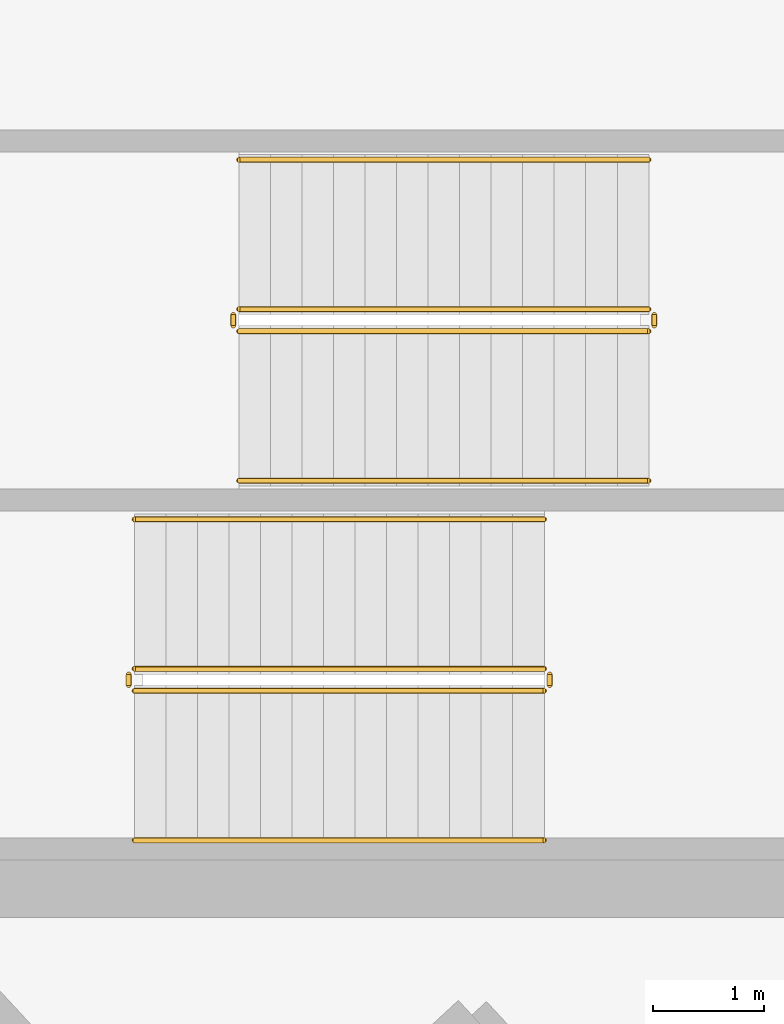
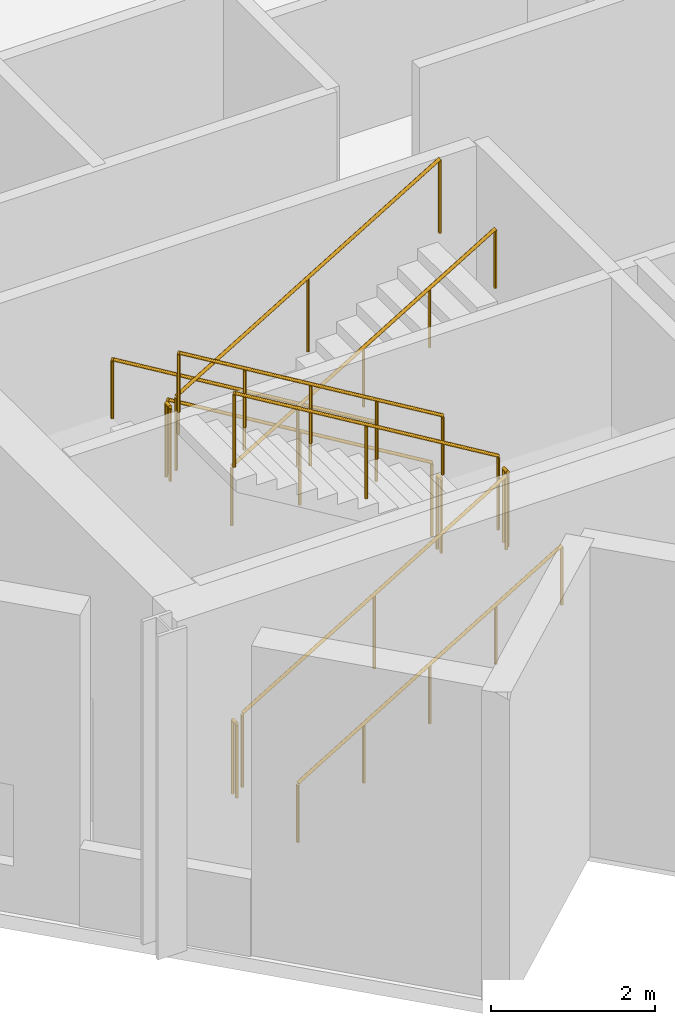
# One storey, part 7 of 7: 12 railings.
"""IFC4 building model written with IfcOpenShell, lengths in metres."""

from ifc_helpers import new_model, si_unit, direction, frame, origin, origin_2d, place, context, subcontext, project, spatial, circle, extrude, material, type_object, element, save


model = new_model("IFC4")

# Units and contexts
model_context = context("Model", 3, precision=1e-05, world=origin(), true_north=direction((0.0, 1.0)))
body_context = subcontext(model_context, "Body", "Model", "MODEL_VIEW")
ifc_project = project(units=[si_unit("LENGTHUNIT", "METRE"), si_unit("AREAUNIT", "SQUARE_METRE"), si_unit("VOLUMEUNIT", "CUBIC_METRE"), si_unit("PLANEANGLEUNIT", "RADIAN"), si_unit("MASSUNIT", "GRAM", prefix="KILO")], contexts=[model_context])

# Site, building, storey
site_placement = place(None, origin())
site = spatial("IfcSite", under=ifc_project, at=site_placement, CompositionType="ELEMENT")
building_placement = place(site_placement, origin())
building = spatial("IfcBuilding", under=site, at=building_placement, Name="Narakoshi Arena Tower", CompositionType="ELEMENT")
storey_placement = place(building_placement, frame((0.0, 0.0, 312.580078125)))
storey = spatial("IfcBuildingStorey", under=building, at=storey_placement, Name="L84", CompositionType="ELEMENT", Elevation=312.580078125)

# Railings
ifc_material_1 = material(Name="Clear low-iron laminated structural glass", Category="glass")
railing_type_1 = type_object("IfcRailingType", Name="RL-BAL-1100", PredefinedType="BALUSTRADE", material=ifc_material_1)
railing_1_placement = place(storey_placement, frame((74.39990234375, 36.949951171875, 0.17138671875)))
element("IfcRailing", 1, at=railing_1_placement, inside=storey, type_object=railing_type_1, Name="L84 ST1 stair guard 1", PredefinedType="BALUSTRADE", context=body_context, shape_type="SweptSolid", body=[
    extrude(circle(Radius=0.02392578125, at=origin_2d()), frame((0.0, 0.0, 1.09619140625), z_axis=(0.856934400257, 0.0, 0.515425487977), x_axis=(0.0, 1.0, 0.0)), (0.0, 0.0, 1.0), 4.32373046875),
    extrude(circle(Radius=0.02099609375, at=origin_2d()), origin(), (0.0, 0.0, 1.0), 1.072021484375),
    extrude(circle(Radius=0.02099609375, at=origin_2d()), frame((1.8525390625, 0.0, 1.1142578125)), (0.0, 0.0, 1.0), 1.072021484375),
    extrude(circle(Radius=0.02099609375, at=origin_2d()), frame((3.705078125, 0.0, 2.228515625)), (0.0, 0.0, 1.0), 1.072021484375),
])
railing_2_placement = place(storey_placement, frame((78.155029296875, 37.0, 2.39990234375)))
element("IfcRailing", 2, at=railing_2_placement, inside=storey, type_object=railing_type_1, Name="L84 ST1 stair guard 2", PredefinedType="BALUSTRADE", context=body_context, shape_type="SweptSolid", body=[
    extrude(circle(Radius=0.02392578125, at=origin_2d()), frame((0.0, 0.0, 1.09619140625), z_axis=(0.0, 1.0, 0.0), x_axis=(-1.0, 0.0, 0.0)), (0.0, 0.0, 1.0), 0.10009765625),
    extrude(circle(Radius=0.02099609375, at=origin_2d()), origin(), (0.0, 0.0, 1.0), 1.072021484375),
    extrude(circle(Radius=0.02099609375, at=origin_2d()), frame((0.0, 0.10009765625, 0.0)), (0.0, 0.0, 1.0), 1.072021484375),
])
railing_3_placement = place(storey_placement, frame((78.10498046875, 37.14990234375, 2.5712890625)))
element("IfcRailing", 3, at=railing_3_placement, inside=storey, type_object=railing_type_1, Name="L84 ST1 stair guard 3", PredefinedType="BALUSTRADE", context=body_context, shape_type="SweptSolid", body=[
    extrude(circle(Radius=0.02392578125, at=origin_2d()), frame((0.0, 0.0, 1.09619140625), z_axis=(-0.856934400257, 0.0, 0.515425487977), x_axis=(0.0, -1.0, 0.0)), (0.0, 0.0, 1.0), 4.32373046875),
    extrude(circle(Radius=0.02099609375, at=origin_2d()), origin(), (0.0, 0.0, 1.0), 1.072021484375),
    extrude(circle(Radius=0.02099609375, at=origin_2d()), frame((-1.8525390625, 0.0, 1.1142578125)), (0.0, 0.0, 1.0), 1.072021484375),
    extrude(circle(Radius=0.02099609375, at=origin_2d()), frame((-3.705078125, 0.0, 2.228515625)), (0.0, 0.0, 1.0), 1.072021484375),
])
railing_4_placement = place(storey_placement, frame((74.35009765625, 37.0, 0.0)))
element("IfcRailing", 4, at=railing_4_placement, inside=storey, type_object=railing_type_1, Name="L84 ST1 stair guard 4", PredefinedType="BALUSTRADE", context=body_context, shape_type="SweptSolid", body=[
    extrude(circle(Radius=0.02392578125, at=origin_2d()), frame((0.0, 0.0, 1.09619140625), z_axis=(0.0, 1.0, 0.0), x_axis=(-1.0, 0.0, 0.0)), (0.0, 0.0, 1.0), 0.10009765625),
    extrude(circle(Radius=0.02099609375, at=origin_2d()), origin(), (0.0, 0.0, 1.0), 1.072021484375),
    extrude(circle(Radius=0.02099609375, at=origin_2d()), frame((0.0, 0.10009765625, 0.0)), (0.0, 0.0, 1.0), 1.072021484375),
])
railing_5_placement = place(storey_placement, frame((79.050048828125, 40.39990234375, 0.17138671875)))
element("IfcRailing", 5, at=railing_5_placement, inside=storey, type_object=railing_type_1, Name="L84 ST2 stair guard 1", PredefinedType="BALUSTRADE", context=body_context, shape_type="SweptSolid", body=[
    extrude(circle(Radius=0.02392578125, at=origin_2d()), frame((0.0, 0.0, 1.09619140625), z_axis=(-0.856934400257, 0.0, 0.515425487977), x_axis=(0.0, -1.0, 0.0)), (0.0, 0.0, 1.0), 4.32373046875),
    extrude(circle(Radius=0.02099609375, at=origin_2d()), origin(), (0.0, 0.0, 1.0), 1.072021484375),
    extrude(circle(Radius=0.02099609375, at=origin_2d()), frame((-1.8525390625, 0.0, 1.1142578125)), (0.0, 0.0, 1.0), 1.072021484375),
    extrude(circle(Radius=0.02099609375, at=origin_2d()), frame((-3.705078125, 0.0, 2.228515625)), (0.0, 0.0, 1.0), 1.072021484375),
])
railing_6_placement = place(storey_placement, frame((75.294921875, 40.35009765625, 2.39990234375)))
element("IfcRailing", 6, at=railing_6_placement, inside=storey, type_object=railing_type_1, Name="L84 ST2 stair guard 2", PredefinedType="BALUSTRADE", context=body_context, shape_type="SweptSolid", body=[
    extrude(circle(Radius=0.02392578125, at=origin_2d()), frame((0.0, 0.0, 1.09619140625), z_axis=(0.0, -1.0, 0.0), x_axis=(1.0, 0.0, 0.0)), (0.0, 0.0, 1.0), 0.10009765625),
    extrude(circle(Radius=0.02099609375, at=origin_2d()), origin(), (0.0, 0.0, 1.0), 1.072021484375),
    extrude(circle(Radius=0.02099609375, at=origin_2d()), frame((0.0, -0.10009765625, 0.0)), (0.0, 0.0, 1.0), 1.072021484375),
])
railing_7_placement = place(storey_placement, frame((75.344970703125, 40.199951171875, 2.5712890625)))
element("IfcRailing", 7, at=railing_7_placement, inside=storey, type_object=railing_type_1, Name="L84 ST2 stair guard 3", PredefinedType="BALUSTRADE", context=body_context, shape_type="SweptSolid", body=[
    extrude(circle(Radius=0.02392578125, at=origin_2d()), frame((0.0, 0.0, 1.09619140625), z_axis=(0.856934400257, 0.0, 0.515425487977), x_axis=(0.0, 1.0, 0.0)), (0.0, 0.0, 1.0), 4.32373046875),
    extrude(circle(Radius=0.02099609375, at=origin_2d()), origin(), (0.0, 0.0, 1.0), 1.072021484375),
    extrude(circle(Radius=0.02099609375, at=origin_2d()), frame((1.8525390625, 0.0, 1.1142578125)), (0.0, 0.0, 1.0), 1.072021484375),
    extrude(circle(Radius=0.02099609375, at=origin_2d()), frame((3.705078125, 0.0, 2.228515625)), (0.0, 0.0, 1.0), 1.072021484375),
])
railing_8_placement = place(storey_placement, frame((79.10009765625, 40.35009765625, 0.0)))
element("IfcRailing", 8, at=railing_8_placement, inside=storey, type_object=railing_type_1, Name="L84 ST2 stair guard 4", PredefinedType="BALUSTRADE", context=body_context, shape_type="SweptSolid", body=[
    extrude(circle(Radius=0.02392578125, at=origin_2d()), frame((0.0, 0.0, 1.09619140625), z_axis=(0.0, -1.0, 0.0), x_axis=(1.0, 0.0, 0.0)), (0.0, 0.0, 1.0), 0.10009765625),
    extrude(circle(Radius=0.02099609375, at=origin_2d()), origin(), (0.0, 0.0, 1.0), 1.072021484375),
    extrude(circle(Radius=0.02099609375, at=origin_2d()), frame((0.0, -0.10009765625, 0.0)), (0.0, 0.0, 1.0), 1.072021484375),
])
ifc_material_2 = material(Name="Brushed bronze stainless steel", Category="steel")
railing_type_2 = type_object("IfcRailingType", Name="RL-HND-900", PredefinedType="HANDRAIL", material=ifc_material_2)
railing_9_placement = place(storey_placement, frame((74.39990234375, 35.60009765625, 0.17138671875)))
element("IfcRailing", 9, at=railing_9_placement, inside=storey, type_object=railing_type_2, Name="L84 ST1 stair handrail 1", PredefinedType="HANDRAIL", context=body_context, shape_type="SweptSolid", body=[
    extrude(circle(Radius=0.02392578125, at=origin_2d()), frame((0.0, 0.0, 0.8759765625), z_axis=(0.856934400257, 0.0, 0.515425487977), x_axis=(0.0, 1.0, 0.0)), (0.0, 0.0, 1.0), 4.32373046875),
    extrude(circle(Radius=0.02099609375, at=origin_2d()), origin(), (0.0, 0.0, 1.0), 0.851806640625),
    extrude(circle(Radius=0.02099609375, at=origin_2d()), frame((0.92626953125, 0.0, 0.55712890625)), (0.0, 0.0, 1.0), 0.851806640625),
    extrude(circle(Radius=0.02099609375, at=origin_2d()), frame((1.8525390625, 0.0, 1.1142578125)), (0.0, 0.0, 1.0), 0.851806640625),
    extrude(circle(Radius=0.02099609375, at=origin_2d()), frame((2.77880859375, 0.0, 1.67138671875)), (0.0, 0.0, 1.0), 0.851806640625),
    extrude(circle(Radius=0.02099609375, at=origin_2d()), frame((3.705078125, 0.0, 2.228515625)), (0.0, 0.0, 1.0), 0.851806640625),
])
for number, where, name in (
    (10, (78.10498046875, 38.5, 2.5712890625), "L84 ST1 stair handrail 2"),
    (11, (79.050048828125, 41.75, 0.17138671875), "L84 ST2 stair handrail 1"),
):
    element("IfcRailing", number, at=place(storey_placement, frame(where)), inside=storey, type_object=railing_type_2, Name=name, PredefinedType="HANDRAIL", context=body_context, shape_type="SweptSolid", body=[
        extrude(circle(Radius=0.02392578125, at=origin_2d()), frame((0.0, 0.0, 0.8759765625), z_axis=(-0.856934400257, 0.0, 0.515425487977), x_axis=(0.0, -1.0, 0.0)), (0.0, 0.0, 1.0), 4.32373046875),
        extrude(circle(Radius=0.02099609375, at=origin_2d()), origin(), (0.0, 0.0, 1.0), 0.851806640625),
        extrude(circle(Radius=0.02099609375, at=origin_2d()), frame((-0.92626953125, 0.0, 0.55712890625)), (0.0, 0.0, 1.0), 0.851806640625),
        extrude(circle(Radius=0.02099609375, at=origin_2d()), frame((-1.8525390625, 0.0, 1.1142578125)), (0.0, 0.0, 1.0), 0.851806640625),
        extrude(circle(Radius=0.02099609375, at=origin_2d()), frame((-2.77880859375, 0.0, 1.67138671875)), (0.0, 0.0, 1.0), 0.851806640625),
        extrude(circle(Radius=0.02099609375, at=origin_2d()), frame((-3.705078125, 0.0, 2.228515625)), (0.0, 0.0, 1.0), 0.851806640625),
    ])
railing_10_placement = place(storey_placement, frame((75.344970703125, 38.85009765625, 2.5712890625)))
element("IfcRailing", 12, at=railing_10_placement, inside=storey, type_object=railing_type_2, Name="L84 ST2 stair handrail 2", PredefinedType="HANDRAIL", context=body_context, shape_type="SweptSolid", body=[
    extrude(circle(Radius=0.02392578125, at=origin_2d()), frame((0.0, 0.0, 0.8759765625), z_axis=(0.856934400257, 0.0, 0.515425487977), x_axis=(0.0, 1.0, 0.0)), (0.0, 0.0, 1.0), 4.32373046875),
    extrude(circle(Radius=0.02099609375, at=origin_2d()), origin(), (0.0, 0.0, 1.0), 0.851806640625),
    extrude(circle(Radius=0.02099609375, at=origin_2d()), frame((0.92626953125, 0.0, 0.55712890625)), (0.0, 0.0, 1.0), 0.851806640625),
    extrude(circle(Radius=0.02099609375, at=origin_2d()), frame((1.8525390625, 0.0, 1.1142578125)), (0.0, 0.0, 1.0), 0.851806640625),
    extrude(circle(Radius=0.02099609375, at=origin_2d()), frame((2.77880859375, 0.0, 1.67138671875)), (0.0, 0.0, 1.0), 0.851806640625),
    extrude(circle(Radius=0.02099609375, at=origin_2d()), frame((3.705078125, 0.0, 2.228515625)), (0.0, 0.0, 1.0), 0.851806640625),
])

save(model, "model.ifc")
